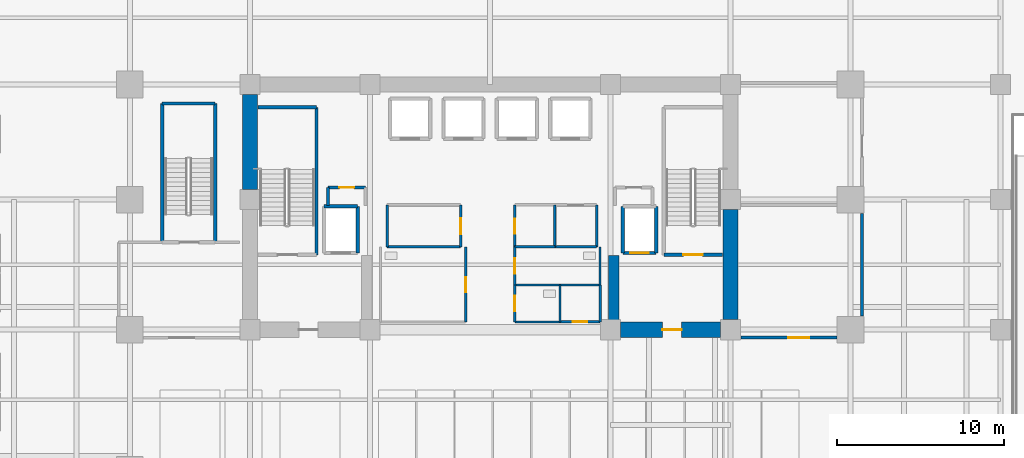
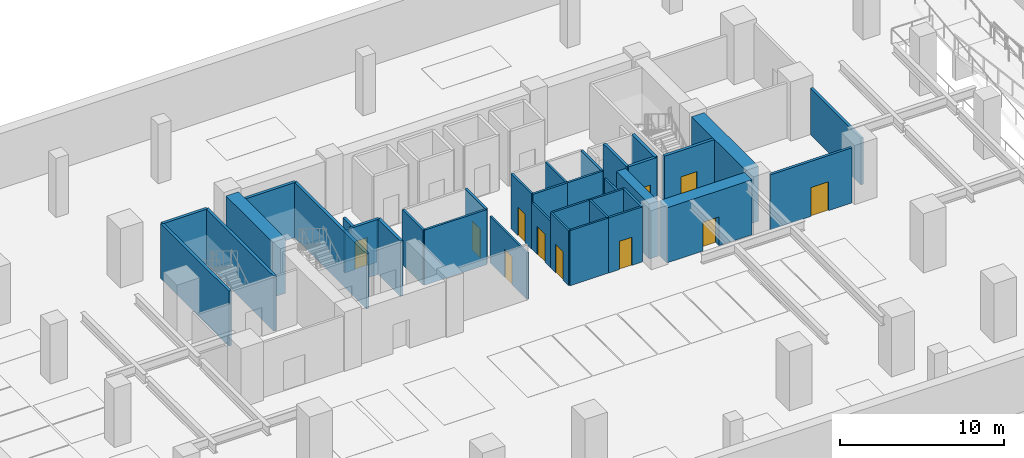
# One storey, part 4 of 14: 36 walls, 11 doors, 11 openings.
"""IFC4 building model written with IfcOpenShell, lengths in metres."""

from ifc_helpers import new_model, si_unit, direction, frame, frame_2d, origin, place, context, subcontext, project, spatial, rectangle, extrude, source, transform, mapped, material, layer, layer_set, type_object, element, fill, save


model = new_model("IFC4")

# Units and contexts
model_context = context("Model", 3, precision=1e-05, world=origin(), true_north=direction((0.0, 1.0)))
body_context = subcontext(model_context, "Body", "Model", "MODEL_VIEW")
ifc_project = project(units=[si_unit("LENGTHUNIT", "METRE"), si_unit("AREAUNIT", "SQUARE_METRE"), si_unit("VOLUMEUNIT", "CUBIC_METRE"), si_unit("PLANEANGLEUNIT", "RADIAN"), si_unit("MASSUNIT", "GRAM", prefix="KILO")], contexts=[model_context])

# Site, building, storey
site_placement = place(None, origin())
site = spatial("IfcSite", under=ifc_project, at=site_placement, CompositionType="ELEMENT")
building_placement = place(site_placement, origin())
building = spatial("IfcBuilding", under=site, at=building_placement, Name="Zarnakvel Exchange Tower", CompositionType="ELEMENT")
storey_placement = place(building_placement, frame((0.0, 0.0, -4.39990234375)))
storey = spatial("IfcBuildingStorey", under=building, at=storey_placement, Name="B01", CompositionType="ELEMENT", Elevation=-4.39990234375)

# Walls
ifc_material_1 = material(Name="Concrete C80/95", Category="concrete")
ifc_layer_1 = layer(ifc_material_1, 0.89990234375)
ifc_layer_set_1 = layer_set([ifc_layer_1], Name="Concrete C80/95")
wall_type_1 = type_object("IfcWallType", Name="CW-C1", PredefinedType="SHEAR", material=ifc_layer_set_1)
wall_1_placement = place(storey_placement, frame((-14.39990234375, 7.199951171875, 0.0), z_axis=(0.0, 0.0, 1.0), x_axis=(0.0, 1.0, 0.0)))
element("IfcWall", 1, at=wall_1_placement, inside=storey, type_object=wall_type_1, Name="B01 Rear Core Shear Wall W2 (CW-C1)", PredefinedType="SHEAR", context=body_context, shape_type="SweptSolid", body=[
    extrude(rectangle(XDim=5.699951171875, YDim=0.89990234375, at=frame_2d((2.85009765625, 0.0))), origin(), (0.0, 0.0, 1.0), 4.099853515625),
])
wall_2_placement = place(storey_placement, frame((14.39990234375, -0.60009765625, 0.0), z_axis=(0.0, 0.0, 1.0), x_axis=(0.0, 1.0, 0.0)))
element("IfcWall", 2, at=wall_2_placement, inside=storey, type_object=wall_type_1, Name="B01 Rear Core Shear Wall E1 (CW-C1)", PredefinedType="SHEAR", context=body_context, shape_type="SweptSolid", body=[
    extrude(rectangle(XDim=6.60009765625, YDim=0.89990234375, at=frame_2d((3.300048828125, 0.0))), origin(), (0.0, 0.0, 1.0), 4.099853515625),
])

# Wall, opening, door
wall_3_placement = place(storey_placement, frame((13.800048828125, -1.199951171875, 0.0), z_axis=(0.0, 0.0, 1.0), x_axis=(-1.0, 0.0, 0.0)))
wall_3 = element("IfcWall", 3, at=wall_3_placement, inside=storey, type_object=wall_type_1, Name="B01 Rear Core Shear Wall SE (CW-C1)", PredefinedType="SHEAR", context=body_context, shape_type="SweptSolid", body=[
    extrude(rectangle(XDim=6.0, YDim=0.89990234375, at=frame_2d((3.0, 0.0))), origin(), (0.0, 0.0, 1.0), 4.099853515625),
])
opening_1_placement = place(wall_3_placement, frame((2.324951171875, 0.0, 0.0)))
opening_1 = element("IfcOpeningElement", 4, at=opening_1_placement, cuts=wall_3, Name="Opening D-B01-04", PredefinedType="OPENING", context=body_context, shape_type="SweptSolid", body=[
    extrude(rectangle(XDim=1.14990234375, YDim=2.14990234375, at=frame_2d((0.574951171875, 1.074951171875))), frame((0.0, 0.4599609375, 0.0), z_axis=(0.0, -1.0, 0.0), x_axis=(1.0, 0.0, 0.0)), (0.0, 0.0, 1.0), 0.919921875),
])
ifc_material_2 = material(Name="Painted Galvanised Steel S355", Category="steel")
door_type_1 = type_object("IfcDoorType", Name="DT-04", OperationType="NOTDEFINED", PredefinedType="DOOR", material=ifc_material_2)
shared_shape_1 = source(origin(), body_context, "Body", "SweptSolid", [
    extrude(rectangle(XDim=1.14990234375, YDim=2.14990234375, at=frame_2d((0.574951171875, 1.074951171875))), frame((0.0, 0.02490234375, 0.0), z_axis=(0.0, -1.0, 0.0), x_axis=(1.0, 0.0, 0.0)), (0.0, 0.0, 1.0), 0.050048828125),
])
door_1_placement = place(opening_1_placement, origin())
door_1 = element("IfcDoor", 5, at=door_1_placement, inside=storey, type_object=door_type_1, Name="B01 Firefighting Lobby East Door D-B01-04", OperationType="SINGLE_SWING_LEFT", OverallHeight=2.14990234375, OverallWidth=1.14990234375, PredefinedType="DOOR", context=body_context, shape_type="MappedRepresentation", body=[
    mapped(shared_shape_1, transform((0.0, 0.0, 0.0), x_axis=(1.0, 0.0, 0.0), y_axis=(0.0, 1.0, 0.0), z_axis=(0.0, 0.0, 1.0), scale=1.0)),
])
fill(opening_1, door_1)

# Walls
ifc_layer_2 = layer(ifc_material_1, 0.64990234375)
ifc_layer_set_2 = layer_set([ifc_layer_2], Name="Concrete C80/95")
wall_type_2 = type_object("IfcWallType", Name="CW-C2", PredefinedType="SHEAR", material=ifc_layer_set_2)
wall_4_placement = place(storey_placement, frame((7.39990234375, -0.75, 0.0), z_axis=(0.0, 0.0, 1.0), x_axis=(0.0, 1.0, 0.0)))
element("IfcWall", 6, at=wall_4_placement, inside=storey, type_object=wall_type_2, Name="B01 Rear Core Shear Wall IE (CW-C2)", PredefinedType="SHEAR", context=body_context, shape_type="SweptSolid", body=[
    extrude(rectangle(XDim=4.0, YDim=0.64990234375, at=frame_2d((2.0, 0.0))), origin(), (0.0, 0.0, 1.0), 4.099853515625),
])
ifc_material_3 = material(Name="Fire-Rated Gypsum Stud Partition", Category="gypsum")
ifc_layer_3 = layer(ifc_material_3, 0.14990234375)
ifc_layer_set_3 = layer_set([ifc_layer_3], Name="Fire-Rated Gypsum Stud Partition")
wall_type_3 = type_object("IfcWallType", Name="PT-01", PredefinedType="PARTITIONING", material=ifc_layer_set_3)
wall_5_placement = place(storey_placement, frame((-1.77001953125, 3.760009765625, 0.0), z_axis=(0.0, 0.0, 1.0), x_axis=(-1.0, 0.0, 0.0)))
element("IfcWall", 7, at=wall_5_placement, inside=storey, type_object=wall_type_3, Name="B01 Partition Wall PWALL-B01-013 (PT-01)", PredefinedType="PARTITIONING", context=body_context, shape_type="SweptSolid", body=[
    extrude(rectangle(XDim=4.409912109375, YDim=0.14990234375, at=frame_2d((2.205078125, 0.0))), origin(), (0.0, 0.0, 1.0), 4.099853515625),
])
wall_6_placement = place(storey_placement, frame((-6.179931640625, 3.760009765625, 0.0), z_axis=(0.0, 0.0, 1.0), x_axis=(0.0, 1.0, 0.0)))
element("IfcWall", 8, at=wall_6_placement, inside=storey, type_object=wall_type_3, Name="B01 Partition Wall PWALL-B01-015 (PT-01)", PredefinedType="PARTITIONING", context=body_context, shape_type="SweptSolid", body=[
    extrude(rectangle(XDim=2.52001953125, YDim=0.14990234375, at=frame_2d((1.260009765625, 0.0))), origin(), (0.0, 0.0, 1.0), 4.099853515625),
])

# Wall, opening, door
wall_7_placement = place(storey_placement, frame((-1.77001953125, 6.280029296875, 0.0), z_axis=(0.0, 0.0, 1.0), x_axis=(0.0, -1.0, 0.0)))
wall_7 = element("IfcWall", 9, at=wall_7_placement, inside=storey, type_object=wall_type_3, Name="B01 Partition Wall PWALL-B01-016 (PT-01)", PredefinedType="PARTITIONING", context=body_context, shape_type="SweptSolid", body=[
    extrude(rectangle(XDim=2.52001953125, YDim=0.14990234375, at=frame_2d((1.260009765625, 0.0))), origin(), (0.0, 0.0, 1.0), 4.099853515625),
])
opening_2_placement = place(wall_7_placement, frame((0.7900390625, 0.0, 0.0)))
opening_2 = element("IfcOpeningElement", 10, at=opening_2_placement, cuts=wall_7, Name="Opening D-B01-05", PredefinedType="OPENING", context=body_context, shape_type="SweptSolid", body=[
    extrude(rectangle(XDim=0.97998046875, YDim=2.14990234375, at=frame_2d((0.489990234375, 1.074951171875))), frame((0.0, 0.0849609375, 0.0), z_axis=(0.0, -1.0, 0.0), x_axis=(1.0, 0.0, 0.0)), (0.0, 0.0, 1.0), 0.169921875),
])
ifc_material_4 = material(Name="Timber Acoustic Veneer", Category="wood")
door_type_2 = type_object("IfcDoorType", Name="DT-05", OperationType="NOTDEFINED", PredefinedType="DOOR", material=ifc_material_4)
shared_shape_2 = source(origin(), body_context, "Body", "SweptSolid", [
    extrude(rectangle(XDim=0.97998046875, YDim=2.14990234375, at=frame_2d((0.489990234375, 1.074951171875))), frame((0.0, 0.02490234375, 0.0), z_axis=(0.0, -1.0, 0.0), x_axis=(1.0, 0.0, 0.0)), (0.0, 0.0, 1.0), 0.050048828125),
])
door_2_placement = place(opening_2_placement, origin())
door_2 = element("IfcDoor", 11, at=door_2_placement, inside=storey, type_object=door_type_2, Name="B01 Regulatory Archive Office Door D-B01-05", OperationType="SINGLE_SWING_RIGHT", OverallHeight=2.14990234375, OverallWidth=0.97998046875, PredefinedType="DOOR", context=body_context, shape_type="MappedRepresentation", body=[
    mapped(shared_shape_2, transform((0.0, 0.0, 0.0), x_axis=(1.0, 0.0, 0.0), y_axis=(0.0, 1.0, 0.0), z_axis=(0.0, 0.0, 1.0), scale=1.0)),
])
fill(opening_2, door_2)

# Wall
wall_8_placement = place(storey_placement, frame((3.8798828125, 3.760009765625, 0.0), z_axis=(0.0, 0.0, 1.0), x_axis=(-1.0, 0.0, 0.0)))
element("IfcWall", 12, at=wall_8_placement, inside=storey, type_object=wall_type_3, Name="B01 Partition Wall PWALL-B01-017 (PT-01)", PredefinedType="PARTITIONING", context=body_context, shape_type="SweptSolid", body=[
    extrude(rectangle(XDim=2.409912109375, YDim=0.14990234375, at=frame_2d((1.205078125, 0.0))), origin(), (0.0, 0.0, 1.0), 4.099853515625),
])

# Wall, opening, door
wall_9_placement = place(storey_placement, frame((1.469970703125, 3.760009765625, 0.0), z_axis=(0.0, 0.0, 1.0), x_axis=(0.0, 1.0, 0.0)))
wall_9 = element("IfcWall", 13, at=wall_9_placement, inside=storey, type_object=wall_type_3, Name="B01 Partition Wall PWALL-B01-019 (PT-01)", PredefinedType="PARTITIONING", context=body_context, shape_type="SweptSolid", body=[
    extrude(rectangle(XDim=2.52001953125, YDim=0.14990234375, at=frame_2d((1.260009765625, 0.0))), origin(), (0.0, 0.0, 1.0), 4.099853515625),
])
opening_3_placement = place(wall_9_placement, frame((0.800048828125, 0.0, 0.0)))
opening_3 = element("IfcOpeningElement", 14, at=opening_3_placement, cuts=wall_9, Name="Opening D-B01-06", PredefinedType="OPENING", context=body_context, shape_type="SweptSolid", body=[
    extrude(rectangle(XDim=0.8798828125, YDim=2.10009765625, at=frame_2d((0.43994140625, 1.050048828125))), frame((0.0, 0.0849609375, 0.0), z_axis=(0.0, -1.0, 0.0), x_axis=(1.0, 0.0, 0.0)), (0.0, 0.0, 1.0), 0.169921875),
])
door_type_3 = type_object("IfcDoorType", Name="DT-08", OperationType="NOTDEFINED", PredefinedType="DOOR", material=ifc_material_2)
shared_shape_3 = source(origin(), body_context, "Body", "SweptSolid", [
    extrude(rectangle(XDim=0.8798828125, YDim=2.10009765625, at=frame_2d((0.43994140625, 1.050048828125))), frame((0.0, 0.02490234375, 0.0), z_axis=(0.0, -1.0, 0.0), x_axis=(1.0, 0.0, 0.0)), (0.0, 0.0, 1.0), 0.050048828125),
])
door_3_placement = place(opening_3_placement, origin())
door_3 = element("IfcDoor", 15, at=door_3_placement, inside=storey, type_object=door_type_3, Name="B01 Cleaners Store Door D-B01-06", OperationType="SINGLE_SWING_LEFT", OverallHeight=2.10009765625, OverallWidth=0.8798828125, PredefinedType="DOOR", context=body_context, shape_type="MappedRepresentation", body=[
    mapped(shared_shape_3, transform((0.0, 0.0, 0.0), x_axis=(1.0, 0.0, 0.0), y_axis=(0.0, 1.0, 0.0), z_axis=(0.0, 0.0, 1.0), scale=1.0)),
])
fill(opening_3, door_3)

# Walls
wall_10_placement = place(storey_placement, frame((3.8798828125, 6.280029296875, 0.0), z_axis=(0.0, 0.0, 1.0), x_axis=(0.0, -1.0, 0.0)))
element("IfcWall", 16, at=wall_10_placement, inside=storey, type_object=wall_type_3, Name="B01 Partition Wall PWALL-B01-020 (PT-01)", PredefinedType="PARTITIONING", context=body_context, shape_type="SweptSolid", body=[
    extrude(rectangle(XDim=2.52001953125, YDim=0.14990234375, at=frame_2d((1.260009765625, 0.0))), origin(), (0.0, 0.0, 1.0), 4.099853515625),
])
wall_11_placement = place(storey_placement, frame((6.3798828125, 3.760009765625, 0.0), z_axis=(0.0, 0.0, 1.0), x_axis=(-1.0, 0.0, 0.0)))
element("IfcWall", 17, at=wall_11_placement, inside=storey, type_object=wall_type_3, Name="B01 Partition Wall PWALL-B01-021 (PT-01)", PredefinedType="PARTITIONING", context=body_context, shape_type="SweptSolid", body=[
    extrude(rectangle(XDim=2.5, YDim=0.14990234375, at=frame_2d((1.25, 0.0))), origin(), (0.0, 0.0, 1.0), 4.099853515625),
])
wall_12_placement = place(storey_placement, frame((6.3798828125, 6.280029296875, 0.0), z_axis=(0.0, 0.0, 1.0), x_axis=(0.0, -1.0, 0.0)))
element("IfcWall", 18, at=wall_12_placement, inside=storey, type_object=wall_type_3, Name="B01 Partition Wall PWALL-B01-023 (PT-01)", PredefinedType="PARTITIONING", context=body_context, shape_type="SweptSolid", body=[
    extrude(rectangle(XDim=2.52001953125, YDim=0.14990234375, at=frame_2d((1.260009765625, 0.0))), origin(), (0.0, 0.0, 1.0), 4.099853515625),
])

# Wall, opening, door
wall_13_placement = place(storey_placement, frame((6.580078125, -0.72998046875, 0.0), z_axis=(0.0, 0.0, 1.0), x_axis=(-1.0, 0.0, 0.0)))
wall_13 = element("IfcWall", 19, at=wall_13_placement, inside=storey, type_object=wall_type_3, Name="B01 Partition Wall PWALL-B01-033 (PT-01)", PredefinedType="PARTITIONING", context=body_context, shape_type="SweptSolid", body=[
    extrude(rectangle(XDim=2.400146484375, YDim=0.14990234375, at=frame_2d((1.2001953125, 0.0))), origin(), (0.0, 0.0, 1.0), 4.099853515625),
])
opening_4_placement = place(wall_13_placement, frame((0.760009765625, 0.0, 0.0)))
opening_4 = element("IfcOpeningElement", 20, at=opening_4_placement, cuts=wall_13, Name="Opening D-B01-11", PredefinedType="OPENING", context=body_context, shape_type="SweptSolid", body=[
    extrude(rectangle(XDim=0.8798828125, YDim=2.10009765625, at=frame_2d((0.43994140625, 1.050048828125))), frame((0.0, 0.0849609375, 0.0), z_axis=(0.0, -1.0, 0.0), x_axis=(1.0, 0.0, 0.0)), (0.0, 0.0, 1.0), 0.169921875),
])
door_4_placement = place(opening_4_placement, origin())
door_4 = element("IfcDoor", 21, at=door_4_placement, inside=storey, type_object=door_type_3, Name="B01 Cleaners Store Door D-B01-11", OperationType="SINGLE_SWING_RIGHT", OverallHeight=2.10009765625, OverallWidth=0.8798828125, PredefinedType="DOOR", context=body_context, shape_type="MappedRepresentation", body=[
    mapped(shared_shape_3, transform((0.0, 0.0, 0.0), x_axis=(1.0, 0.0, 0.0), y_axis=(0.0, 1.0, 0.0), z_axis=(0.0, 0.0, 1.0), scale=1.0)),
])
fill(opening_4, door_4)

# Wall
wall_14_placement = place(storey_placement, frame((6.580078125, 1.47998046875, 0.0), z_axis=(0.0, 0.0, 1.0), x_axis=(0.0, -1.0, 0.0)))
element("IfcWall", 22, at=wall_14_placement, inside=storey, type_object=wall_type_3, Name="B01 Partition Wall PWALL-B01-034 (PT-01)", PredefinedType="PARTITIONING", context=body_context, shape_type="SweptSolid", body=[
    extrude(rectangle(XDim=2.2099609375, YDim=0.14990234375, at=frame_2d((1.10498046875, 0.0))), origin(), (0.0, 0.0, 1.0), 4.099853515625),
])

# Wall, opening, door
ifc_layer_4 = layer(ifc_material_3, 0.179931640625)
ifc_layer_set_4 = layer_set([ifc_layer_4], Name="Fire-Rated Gypsum Stud Partition")
wall_type_4 = type_object("IfcWallType", Name="PT-02", PredefinedType="PARTITIONING", material=ifc_layer_set_4)
wall_15_placement = place(storey_placement, frame((-9.72998046875, 7.330078125, 0.0), z_axis=(0.0, 0.0, 1.0), x_axis=(1.0, 0.0, 0.0)))
wall_15 = element("IfcWall", 23, at=wall_15_placement, inside=storey, type_object=wall_type_4, Name="B01 Partition Wall PWALL-B01-007 (PT-02)", PredefinedType="PARTITIONING", context=body_context, shape_type="SweptSolid", body=[
    extrude(rectangle(XDim=2.260009765625, YDim=0.179931640625, at=frame_2d((1.1298828125, 0.0))), origin(), (0.0, 0.0, 1.0), 3.18994140625),
])
opening_5_placement = place(wall_15_placement, frame((0.68994140625, 0.0, 0.0)))
opening_5 = element("IfcOpeningElement", 24, at=opening_5_placement, cuts=wall_15, Name="Opening D-B01-16", PredefinedType="OPENING", context=body_context, shape_type="SweptSolid", body=[
    extrude(rectangle(XDim=0.8798828125, YDim=2.10009765625, at=frame_2d((0.43994140625, 1.050048828125))), frame((0.0, 0.099853515625, 0.0), z_axis=(0.0, -1.0, 0.0), x_axis=(1.0, 0.0, 0.0)), (0.0, 0.0, 1.0), 0.199951171875),
])
door_5_placement = place(opening_5_placement, origin())
door_5 = element("IfcDoor", 25, at=door_5_placement, inside=storey, type_object=door_type_3, Name="B01 Electrical Riser Door D-B01-16", OperationType="SINGLE_SWING_LEFT", OverallHeight=2.10009765625, OverallWidth=0.8798828125, PredefinedType="DOOR", context=body_context, shape_type="MappedRepresentation", body=[
    mapped(shared_shape_3, transform((0.0, 0.0, 0.0), x_axis=(1.0, 0.0, 0.0), y_axis=(0.0, 1.0, 0.0), z_axis=(0.0, 0.0, 1.0), scale=1.0)),
])
fill(opening_5, door_5)

# Wall
wall_16_placement = place(storey_placement, frame((-9.72998046875, 6.239990234375, 0.0), z_axis=(0.0, 0.0, 1.0), x_axis=(0.0, 1.0, 0.0)))
element("IfcWall", 26, at=wall_16_placement, inside=storey, type_object=wall_type_4, Name="B01 Partition Wall PWALL-B01-008 (PT-02)", PredefinedType="PARTITIONING", context=body_context, shape_type="SweptSolid", body=[
    extrude(rectangle(XDim=1.090087890625, YDim=0.179931640625, at=frame_2d((0.544921875, 0.0))), origin(), (0.0, 0.0, 1.0), 4.099853515625),
])

# Wall, opening, door
wall_17_placement = place(storey_placement, frame((20.780029296875, -1.669921875, 0.0), z_axis=(0.0, 0.0, 1.0), x_axis=(-1.0, 0.0, 0.0)))
wall_17 = element("IfcWall", 27, at=wall_17_placement, inside=storey, type_object=wall_type_4, Name="B01 Partition Wall PWALL-B01-043 (PT-02)", PredefinedType="PARTITIONING", context=body_context, shape_type="SweptSolid", body=[
    extrude(rectangle(XDim=5.760009765625, YDim=0.179931640625, at=frame_2d((2.8798828125, 0.0))), origin(), (0.0, 0.0, 1.0), 4.099853515625),
])
opening_6_placement = place(wall_17_placement, frame((1.655029296875, 0.0, 0.0)))
opening_6 = element("IfcOpeningElement", 28, at=opening_6_placement, cuts=wall_17, Name="Opening D-B01-14", PredefinedType="OPENING", context=body_context, shape_type="SweptSolid", body=[
    extrude(rectangle(XDim=1.25, YDim=2.14990234375, at=frame_2d((0.625, 1.074951171875))), frame((0.0, 0.099853515625, 0.0), z_axis=(0.0, -1.0, 0.0), x_axis=(1.0, 0.0, 0.0)), (0.0, 0.0, 1.0), 0.199951171875),
])
door_type_4 = type_object("IfcDoorType", Name="DT-06", OperationType="NOTDEFINED", PredefinedType="DOOR", material=ifc_material_2)
shared_shape_4 = source(origin(), body_context, "Body", "SweptSolid", [
    extrude(rectangle(XDim=1.25, YDim=2.14990234375, at=frame_2d((0.625, 1.074951171875))), frame((0.0, 0.02490234375, 0.0), z_axis=(0.0, -1.0, 0.0), x_axis=(1.0, 0.0, 0.0)), (0.0, 0.0, 1.0), 0.050048828125),
])
door_6_placement = place(opening_6_placement, origin())
door_6 = element("IfcDoor", 29, at=door_6_placement, inside=storey, type_object=door_type_4, Name="B01 Exchange UPS and Battery Plant Room Door D-B01-14", OperationType="SINGLE_SWING_LEFT", OverallHeight=2.14990234375, OverallWidth=1.25, PredefinedType="DOOR", context=body_context, shape_type="MappedRepresentation", body=[
    mapped(shared_shape_4, transform((0.0, 0.0, 0.0), x_axis=(1.0, 0.0, 0.0), y_axis=(0.0, 1.0, 0.0), z_axis=(0.0, 0.0, 1.0), scale=1.0)),
])
fill(opening_6, door_6)

# Wall
wall_18_placement = place(storey_placement, frame((22.280029296875, 5.780029296875, 0.0), z_axis=(0.0, 0.0, 1.0), x_axis=(0.0, -1.0, 0.0)))
element("IfcWall", 30, at=wall_18_placement, inside=storey, type_object=wall_type_4, Name="B01 Partition Wall PWALL-B01-045 (PT-02)", PredefinedType="PARTITIONING", context=body_context, shape_type="SweptSolid", body=[
    extrude(rectangle(XDim=6.159912109375, YDim=0.179931640625, at=frame_2d((3.080078125, 0.0))), origin(), (0.0, 0.0, 1.0), 3.47265625),
])

# Wall, opening, door
ifc_material_5 = material(Name="Moisture-Resistant Tile-Faced Partition", Category="gypsum")
ifc_layer_5 = layer(ifc_material_5, 0.135009765625)
ifc_layer_set_5 = layer_set([ifc_layer_5], Name="Moisture-Resistant Tile-Faced Partition")
wall_type_5 = type_object("IfcWallType", Name="PT-03", PredefinedType="PARTITIONING", material=ifc_layer_set_5)
wall_19_placement = place(storey_placement, frame((-1.469970703125, 3.760009765625, 0.0), z_axis=(0.0, 0.0, 1.0), x_axis=(0.0, -1.0, 0.0)))
wall_19 = element("IfcWall", 31, at=wall_19_placement, inside=storey, type_object=wall_type_5, Name="B01 Partition Wall PWALL-B01-026 (PT-03)", PredefinedType="PARTITIONING", context=body_context, shape_type="SweptSolid", body=[
    extrude(rectangle(XDim=4.489990234375, YDim=0.135009765625, at=frame_2d((2.2451171875, 0.0))), origin(), (0.0, 0.0, 1.0), 3.47265625),
])
opening_7_placement = place(wall_19_placement, frame((1.800048828125, 0.0, 0.0)))
opening_7 = element("IfcOpeningElement", 32, at=opening_7_placement, cuts=wall_19, Name="Opening D-B01-08", PredefinedType="OPENING", context=body_context, shape_type="SweptSolid", body=[
    extrude(rectangle(XDim=0.919921875, YDim=2.10009765625, at=frame_2d((0.4599609375, 1.050048828125))), frame((0.0, 0.077392578125, 0.0), z_axis=(0.0, -1.0, 0.0), x_axis=(1.0, 0.0, 0.0)), (0.0, 0.0, 1.0), 0.155029296875),
])
ifc_material_6 = material(Name="Moisture-Resistant Laminate Timber", Category="wood")
door_type_5 = type_object("IfcDoorType", Name="DT-07", OperationType="NOTDEFINED", PredefinedType="DOOR", material=ifc_material_6)
shared_shape_5 = source(origin(), body_context, "Body", "SweptSolid", [
    extrude(rectangle(XDim=0.919921875, YDim=2.10009765625, at=frame_2d((0.4599609375, 1.050048828125))), frame((0.0, 0.02490234375, 0.0), z_axis=(0.0, -1.0, 0.0), x_axis=(1.0, 0.0, 0.0)), (0.0, 0.0, 1.0), 0.050048828125),
])
door_7_placement = place(opening_7_placement, origin())
door_7 = element("IfcDoor", 33, at=door_7_placement, inside=storey, type_object=door_type_5, Name="B01 Male Toilet Door D-B01-08", OperationType="SINGLE_SWING_LEFT", OverallHeight=2.10009765625, OverallWidth=0.919921875, PredefinedType="DOOR", context=body_context, shape_type="MappedRepresentation", body=[
    mapped(shared_shape_5, transform((0.0, 0.0, 0.0), x_axis=(1.0, 0.0, 0.0), y_axis=(0.0, 1.0, 0.0), z_axis=(0.0, 0.0, 1.0), scale=1.0)),
])
fill(opening_7, door_7)

# Wall
wall_20_placement = place(storey_placement, frame((6.580078125, 1.47998046875, 0.0), z_axis=(0.0, 0.0, 1.0), x_axis=(-1.0, 0.0, 0.0)))
element("IfcWall", 34, at=wall_20_placement, inside=storey, type_object=wall_type_5, Name="B01 Partition Wall PWALL-B01-027 (PT-03)", PredefinedType="PARTITIONING", context=body_context, shape_type="SweptSolid", body=[
    extrude(rectangle(XDim=5.110107421875, YDim=0.135009765625, at=frame_2d((2.55517578125, 0.0))), origin(), (0.0, 0.0, 1.0), 4.099853515625),
])

# Wall, opening, door
wall_21_placement = place(storey_placement, frame((1.469970703125, 1.47998046875, 0.0), z_axis=(0.0, 0.0, 1.0), x_axis=(0.0, 1.0, 0.0)))
wall_21 = element("IfcWall", 35, at=wall_21_placement, inside=storey, type_object=wall_type_5, Name="B01 Partition Wall PWALL-B01-028 (PT-03)", PredefinedType="PARTITIONING", context=body_context, shape_type="SweptSolid", body=[
    extrude(rectangle(XDim=2.280029296875, YDim=0.135009765625, at=frame_2d((1.14013671875, 0.0))), origin(), (0.0, 0.0, 1.0), 3.47265625),
])
opening_8_placement = place(wall_21_placement, frame((0.679931640625, 0.0, 0.0)))
opening_8 = element("IfcOpeningElement", 36, at=opening_8_placement, cuts=wall_21, Name="Opening D-B01-09", PredefinedType="OPENING", context=body_context, shape_type="SweptSolid", body=[
    extrude(rectangle(XDim=0.919921875, YDim=2.10009765625, at=frame_2d((0.4599609375, 1.050048828125))), frame((0.0, 0.077392578125, 0.0), z_axis=(0.0, -1.0, 0.0), x_axis=(1.0, 0.0, 0.0)), (0.0, 0.0, 1.0), 0.155029296875),
])
door_8_placement = place(opening_8_placement, origin())
door_8 = element("IfcDoor", 37, at=door_8_placement, inside=storey, type_object=door_type_5, Name="B01 Female Toilet Door D-B01-09", OperationType="SINGLE_SWING_RIGHT", OverallHeight=2.10009765625, OverallWidth=0.919921875, PredefinedType="DOOR", context=body_context, shape_type="MappedRepresentation", body=[
    mapped(shared_shape_5, transform((0.0, 0.0, 0.0), x_axis=(1.0, 0.0, 0.0), y_axis=(0.0, 1.0, 0.0), z_axis=(0.0, 0.0, 1.0), scale=1.0)),
])
fill(opening_8, door_8)

# Walls
wall_22_placement = place(storey_placement, frame((6.580078125, 3.760009765625, 0.0), z_axis=(0.0, 0.0, 1.0), x_axis=(0.0, -1.0, 0.0)))
element("IfcWall", 38, at=wall_22_placement, inside=storey, type_object=wall_type_5, Name="B01 Partition Wall PWALL-B01-029 (PT-03)", PredefinedType="PARTITIONING", context=body_context, shape_type="SweptSolid", body=[
    extrude(rectangle(XDim=2.280029296875, YDim=0.135009765625, at=frame_2d((1.14013671875, 0.0))), origin(), (0.0, 0.0, 1.0), 3.47265625),
])
wall_23_placement = place(storey_placement, frame((4.179931640625, -0.72998046875, 0.0), z_axis=(0.0, 0.0, 1.0), x_axis=(-1.0, 0.0, 0.0)))
element("IfcWall", 39, at=wall_23_placement, inside=storey, type_object=wall_type_5, Name="B01 Partition Wall PWALL-B01-030 (PT-03)", PredefinedType="PARTITIONING", context=body_context, shape_type="SweptSolid", body=[
    extrude(rectangle(XDim=2.7099609375, YDim=0.135009765625, at=frame_2d((1.35498046875, 0.0))), origin(), (0.0, 0.0, 1.0), 4.099853515625),
])

# Wall, opening, door
wall_24_placement = place(storey_placement, frame((1.469970703125, -0.72998046875, 0.0), z_axis=(0.0, 0.0, 1.0), x_axis=(0.0, 1.0, 0.0)))
wall_24 = element("IfcWall", 40, at=wall_24_placement, inside=storey, type_object=wall_type_5, Name="B01 Partition Wall PWALL-B01-031 (PT-03)", PredefinedType="PARTITIONING", context=body_context, shape_type="SweptSolid", body=[
    extrude(rectangle(XDim=2.2099609375, YDim=0.135009765625, at=frame_2d((1.10498046875, 0.0))), origin(), (0.0, 0.0, 1.0), 4.099853515625),
])
opening_9_placement = place(wall_24_placement, frame((0.64990234375, 0.0, 0.0)))
opening_9 = element("IfcOpeningElement", 41, at=opening_9_placement, cuts=wall_24, Name="Opening D-B01-10", PredefinedType="OPENING", context=body_context, shape_type="SweptSolid", body=[
    extrude(rectangle(XDim=0.919921875, YDim=2.10009765625, at=frame_2d((0.4599609375, 1.050048828125))), frame((0.0, 0.077392578125, 0.0), z_axis=(0.0, -1.0, 0.0), x_axis=(1.0, 0.0, 0.0)), (0.0, 0.0, 1.0), 0.155029296875),
])
door_9_placement = place(opening_9_placement, origin())
door_9 = element("IfcDoor", 42, at=door_9_placement, inside=storey, type_object=door_type_5, Name="B01 Accessible Toilet Door D-B01-10", OperationType="SINGLE_SWING_LEFT", OverallHeight=2.10009765625, OverallWidth=0.919921875, PredefinedType="DOOR", context=body_context, shape_type="MappedRepresentation", body=[
    mapped(shared_shape_5, transform((0.0, 0.0, 0.0), x_axis=(1.0, 0.0, 0.0), y_axis=(0.0, 1.0, 0.0), z_axis=(0.0, 0.0, 1.0), scale=1.0)),
])
fill(opening_9, door_9)

# Walls
wall_25_placement = place(storey_placement, frame((4.179931640625, 1.47998046875, 0.0), z_axis=(0.0, 0.0, 1.0), x_axis=(0.0, -1.0, 0.0)))
element("IfcWall", 43, at=wall_25_placement, inside=storey, type_object=wall_type_5, Name="B01 Partition Wall PWALL-B01-032 (PT-03)", PredefinedType="PARTITIONING", context=body_context, shape_type="SweptSolid", body=[
    extrude(rectangle(XDim=2.2099609375, YDim=0.135009765625, at=frame_2d((1.10498046875, 0.0))), origin(), (0.0, 0.0, 1.0), 4.099853515625),
])
ifc_material_7 = material(Name="Concrete C40/50", Category="concrete")
ifc_layer_6 = layer(ifc_material_7, 0.199951171875)
ifc_layer_set_6 = layer_set([ifc_layer_6], Name="Concrete C40/50")
wall_type_6 = type_object("IfcWallType", Name="SW-01", PredefinedType="SOLIDWALL", material=ifc_layer_set_6)
wall_26_placement = place(storey_placement, frame((-9.949951171875, 6.199951171875, 0.0), z_axis=(0.0, 0.0, 1.0), x_axis=(1.0, 0.0, 0.0)))
element("IfcWall", 44, at=wall_26_placement, inside=storey, type_object=wall_type_6, Name="B01 FL-01 Hoistway Wall North", PredefinedType="SOLIDWALL", context=body_context, shape_type="SweptSolid", body=[
    extrude(rectangle(XDim=2.0, YDim=0.199951171875, at=frame_2d((1.0, 0.0))), origin(), (0.0, 0.0, 1.0), 4.099853515625),
])
wall_27_placement = place(storey_placement, frame((-7.949951171875, 6.199951171875, 0.0), z_axis=(0.0, 0.0, 1.0), x_axis=(0.0, -1.0, 0.0)))
element("IfcWall", 45, at=wall_27_placement, inside=storey, type_object=wall_type_6, Name="B01 FL-01 Hoistway Wall East", PredefinedType="SOLIDWALL", context=body_context, shape_type="SweptSolid", body=[
    extrude(rectangle(XDim=2.800048828125, YDim=0.199951171875, at=frame_2d((1.39990234375, 0.0))), origin(), (0.0, 0.0, 1.0), 4.099853515625),
])

# Wall, opening, door
wall_28_placement = place(storey_placement, frame((9.949951171875, 3.39990234375, 0.0), z_axis=(0.0, 0.0, 1.0), x_axis=(-1.0, 0.0, 0.0)))
wall_28 = element("IfcWall", 46, at=wall_28_placement, inside=storey, type_object=wall_type_6, Name="B01 FL-02 Hoistway Wall South", PredefinedType="SOLIDWALL", context=body_context, shape_type="SweptSolid", body=[
    extrude(rectangle(XDim=2.0, YDim=0.199951171875, at=frame_2d((1.0, 0.0))), origin(), (0.0, 0.0, 1.0), 4.099853515625),
])
opening_10_placement = place(wall_28_placement, frame((0.449951171875, 0.0, 0.0)))
opening_10 = element("IfcOpeningElement", 47, at=opening_10_placement, cuts=wall_28, Name="Opening LD-FL-02-B01", PredefinedType="OPENING", context=body_context, shape_type="SweptSolid", body=[
    extrude(rectangle(XDim=1.10009765625, YDim=2.199951171875, at=frame_2d((0.550048828125, 1.10009765625))), frame((0.0, 0.10986328125, 0.0), z_axis=(0.0, -1.0, 0.0), x_axis=(1.0, 0.0, 0.0)), (0.0, 0.0, 1.0), 0.219970703125),
])
ifc_material_8 = material(Name="Brushed Stainless Steel", Category="steel")
door_type_6 = type_object("IfcDoorType", Name="LDT-01", OperationType="NOTDEFINED", PredefinedType="DOOR", material=ifc_material_8)
shared_shape_6 = source(origin(), body_context, "Body", "SweptSolid", [
    extrude(rectangle(XDim=1.10009765625, YDim=2.199951171875, at=frame_2d((0.550048828125, 1.10009765625))), frame((0.0, 0.02490234375, 0.0), z_axis=(0.0, -1.0, 0.0), x_axis=(1.0, 0.0, 0.0)), (0.0, 0.0, 1.0), 0.050048828125),
])
door_10_placement = place(opening_10_placement, origin())
door_10 = element("IfcDoor", 48, at=door_10_placement, inside=storey, type_object=door_type_6, Name="B01 FL-02 Lift Landing Door LD-FL-02-B01", OperationType="DOUBLE_DOOR_SLIDING", OverallHeight=2.199951171875, OverallWidth=1.10009765625, PredefinedType="DOOR", context=body_context, shape_type="MappedRepresentation", body=[
    mapped(shared_shape_6, transform((0.0, 0.0, 0.0), x_axis=(1.0, 0.0, 0.0), y_axis=(0.0, 1.0, 0.0), z_axis=(0.0, 0.0, 1.0), scale=1.0)),
])
fill(opening_10, door_10)

# Walls
for number, where, z_axis, x_axis, name in (
    (49, (7.949951171875, 3.39990234375, 0.0), (0.0, 0.0, 1.0), (0.0, 1.0, 0.0), "B01 FL-02 Hoistway Wall West"),
    (50, (9.949951171875, 6.199951171875, 0.0), (0.0, 0.0, 1.0), (0.0, -1.0, 0.0), "B01 FL-02 Hoistway Wall East"),
):
    element("IfcWall", number, at=place(storey_placement, frame(where, z_axis=z_axis, x_axis=x_axis)), inside=storey, type_object=wall_type_6, Name=name, PredefinedType="SOLIDWALL", context=body_context, shape_type="SweptSolid", body=[
        extrude(rectangle(XDim=2.800048828125, YDim=0.199951171875, at=frame_2d((1.39990234375, 0.0))), origin(), (0.0, 0.0, 1.0), 4.099853515625),
    ])
ifc_layer_7 = layer(ifc_material_7, 0.199951171875)
ifc_layer_set_7 = layer_set([ifc_layer_7], Name="Concrete C40/50")
wall_type_7 = type_object("IfcWallType", Name="SW-02", PredefinedType="SOLIDWALL", material=ifc_layer_set_7)
wall_29_placement = place(storey_placement, frame((-13.929931640625, 12.1298828125, 0.0), z_axis=(0.0, 0.0, 1.0), x_axis=(1.0, 0.0, 0.0)))
element("IfcWall", 51, at=wall_29_placement, inside=storey, type_object=wall_type_7, Name="B01 Stairwell Core Wall PWALL-B01-002 (SW-02)", PredefinedType="SOLIDWALL", context=body_context, shape_type="SweptSolid", body=[
    extrude(rectangle(XDim=3.52001953125, YDim=0.199951171875, at=frame_2d((1.760009765625, 0.0))), origin(), (0.0, 0.0, 1.0), 4.099853515625),
])
wall_30_placement = place(storey_placement, frame((-10.409912109375, 12.1298828125, 0.0), z_axis=(0.0, 0.0, 1.0), x_axis=(0.0, -1.0, 0.0)))
element("IfcWall", 52, at=wall_30_placement, inside=storey, type_object=wall_type_7, Name="B01 Stairwell Core Wall PWALL-B01-003 (SW-02)", PredefinedType="SOLIDWALL", context=body_context, shape_type="SweptSolid", body=[
    extrude(rectangle(XDim=8.83984375, YDim=0.199951171875, at=frame_2d((4.419921875, 0.0))), origin(), (0.0, 0.0, 1.0), 4.099853515625),
])

# Wall, opening, door
wall_31_placement = place(storey_placement, frame((13.929931640625, 3.2900390625, 0.0), z_axis=(0.0, 0.0, 1.0), x_axis=(-1.0, 0.0, 0.0)))
wall_31 = element("IfcWall", 53, at=wall_31_placement, inside=storey, type_object=wall_type_7, Name="B01 Stairwell Core Wall PWALL-B01-004 (SW-02)", PredefinedType="SOLIDWALL", context=body_context, shape_type="SweptSolid", body=[
    extrude(rectangle(XDim=3.52001953125, YDim=0.199951171875, at=frame_2d((1.760009765625, 0.0))), origin(), (0.0, 0.0, 1.0), 4.099853515625),
])
opening_11_placement = place(wall_31_placement, frame((1.205078125, 0.0, 0.0)))
opening_11 = element("IfcOpeningElement", 54, at=opening_11_placement, cuts=wall_31, Name="Opening D-B01-02", PredefinedType="OPENING", context=body_context, shape_type="SweptSolid", body=[
    extrude(rectangle(XDim=1.14990234375, YDim=2.14990234375, at=frame_2d((0.574951171875, 1.074951171875))), frame((0.0, 0.10986328125, 0.0), z_axis=(0.0, -1.0, 0.0), x_axis=(1.0, 0.0, 0.0)), (0.0, 0.0, 1.0), 0.219970703125),
])
door_11_placement = place(opening_11_placement, origin())
door_11 = element("IfcDoor", 55, at=door_11_placement, inside=storey, type_object=door_type_1, Name="B01 Stairwell ST-02 Door D-B01-02", OperationType="SINGLE_SWING_LEFT", OverallHeight=2.14990234375, OverallWidth=1.14990234375, PredefinedType="DOOR", context=body_context, shape_type="MappedRepresentation", body=[
    mapped(shared_shape_1, transform((0.0, 0.0, 0.0), x_axis=(1.0, 0.0, 0.0), y_axis=(0.0, 1.0, 0.0), z_axis=(0.0, 0.0, 1.0), scale=1.0)),
])
fill(opening_11, door_11)

# Walls
wall_32_placement = place(storey_placement, frame((-19.659912109375, 12.360107421875, 0.0), z_axis=(0.0, 0.0, 1.0), x_axis=(1.0, 0.0, 0.0)))
element("IfcWall", 56, at=wall_32_placement, inside=storey, type_object=wall_type_7, Name="B01 Stairwell Core Wall PWALL-B01-036 (SW-02)", PredefinedType="SOLIDWALL", context=body_context, shape_type="SweptSolid", body=[
    extrude(rectangle(XDim=3.169921875, YDim=0.199951171875, at=frame_2d((1.5849609375, 0.0))), origin(), (0.0, 0.0, 1.0), 4.099853515625),
])
for number, where, z_axis, x_axis, name in (
    (57, (-19.659912109375, 4.0400390625, 0.0), (0.0, 0.0, 1.0), (0.0, 1.0, 0.0), "B01 Stairwell Core Wall PWALL-B01-037 (SW-02)"),
    (58, (-16.489990234375, 12.360107421875, 0.0), (0.0, 0.0, 1.0), (0.0, -1.0, 0.0), "B01 Stairwell Core Wall PWALL-B01-038 (SW-02)"),
):
    element("IfcWall", number, at=place(storey_placement, frame(where, z_axis=z_axis, x_axis=x_axis)), inside=storey, type_object=wall_type_7, Name=name, PredefinedType="SOLIDWALL", context=body_context, shape_type="SweptSolid", body=[
        extrude(rectangle(XDim=8.320068359375, YDim=0.199951171875, at=frame_2d((4.16015625, 0.0))), origin(), (0.0, 0.0, 1.0), 4.099853515625),
    ])

save(model, "model.ifc")
